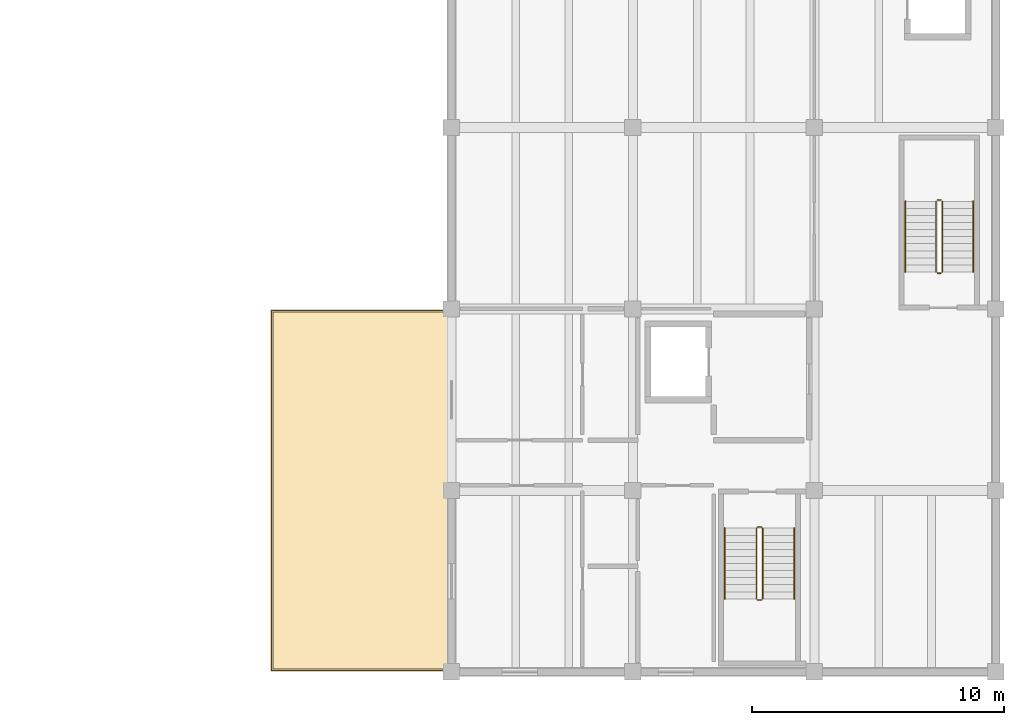
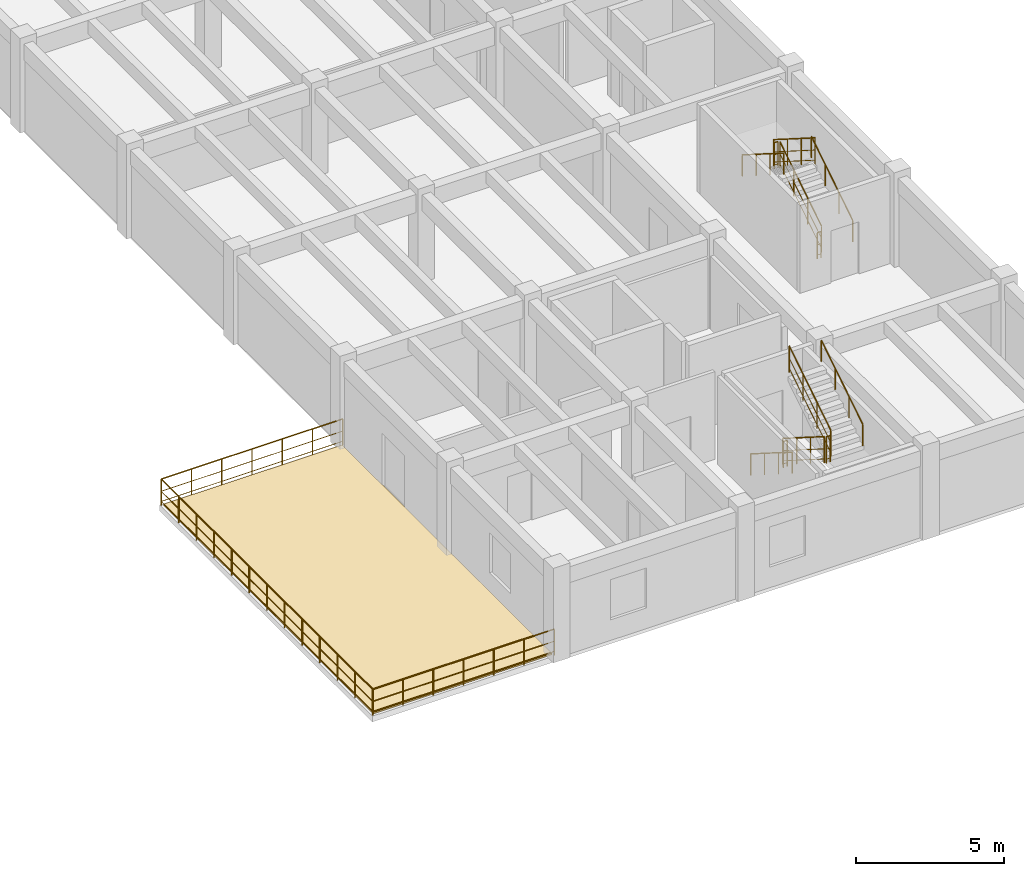
# One storey, part 12 of 13: 15 railings, 1 covering.
"""IFC4 building model written with IfcOpenShell, lengths in metres."""

from ifc_helpers import new_model, si_unit, direction, frame, origin, origin_2d, place, context, subcontext, project, spatial, polyline, circle, outline, extrude, material, layer, layer_set, type_object, element, save


model = new_model("IFC4")

# Units and contexts
model_context = context("Model", 3, precision=1e-05, world=origin(), true_north=direction((0.0, 1.0)))
body_context = subcontext(model_context, "Body", "Model", "MODEL_VIEW")
ifc_project = project(units=[si_unit("LENGTHUNIT", "METRE"), si_unit("AREAUNIT", "SQUARE_METRE"), si_unit("VOLUMEUNIT", "CUBIC_METRE"), si_unit("PLANEANGLEUNIT", "RADIAN"), si_unit("MASSUNIT", "GRAM", prefix="KILO")], contexts=[model_context])

# Site, building, storey
site_placement = place(None, origin())
site = spatial("IfcSite", under=ifc_project, at=site_placement, CompositionType="ELEMENT")
building_placement = place(site_placement, origin())
building = spatial("IfcBuilding", under=site, at=building_placement, Name="Koriwan Promenade Central Fire Station", CompositionType="ELEMENT")
storey_placement = place(building_placement, frame((0.0, 0.0, 13.5)))
storey = spatial("IfcBuildingStorey", under=building, at=storey_placement, Name="L03", CompositionType="ELEMENT", Elevation=13.5)

# Covering
ifc_material_1 = material(Name="Waterproofed xerophytic roof-garden drainage build-up", Category="membrane")
ifc_layer_1 = layer(ifc_material_1, 0.06005859375, Name="Waterproofed xerophytic roof-garden drainage build-up")
ifc_layer_set_1 = layer_set([ifc_layer_1], Name="Waterproofed xerophytic roof-garden drainage build-up")
covering_type = type_object("IfcCoveringType", Name="RoofCovering_Garden", PredefinedType="ROOFING", material=ifc_layer_set_1)
covering_placement = place(storey_placement, origin())
element("IfcCovering", 1, at=covering_placement, inside=storey, type_object=covering_type, Name="Promenade Setback Terrace waterproofed garden build-up", PredefinedType="ROOFING", context=body_context, shape_type="SweptSolid", body=[
    extrude(outline(polyline([(151.080078125, 0.1201171875), (144.1201171875, 0.1201171875), (144.1201171875, 14.280029296875), (151.080078125, 14.280029296875), (151.080078125, 0.1201171875)])), origin(), (0.0, 0.0, 1.0), 0.06005859375),
])

# Railings
ifc_material_2 = material(Name="Steel ASTM A500 Grade C", Category="steel")
ifc_layer_2 = layer(ifc_material_2, 0.050048828125, Name="Steel ASTM A500 Grade C")
ifc_layer_set_2 = layer_set([ifc_layer_2], Name="Steel ASTM A500 Grade C")
railing_type_1 = type_object("IfcRailingType", Name="StairGuard_1100", PredefinedType="BALUSTRADE", material=ifc_layer_set_2)
railing_1_placement = place(storey_placement, frame((163.300048828125, 5.699951171875, 0.17724609375)))
element("IfcRailing", 2, at=railing_1_placement, inside=storey, type_object=railing_type_1, Name="L03 ST22 stair guard 1", PredefinedType="BALUSTRADE", context=body_context, shape_type="SweptSolid", body=[
    extrude(circle(Radius=0.02392578125, at=origin_2d()), frame((0.0, 0.0, 1.076171875), z_axis=(0.0, -0.844908973607, 0.534910110503), x_axis=(1.0, 0.0, 0.0)), (0.0, 0.0, 1.0), 3.31396484375),
    extrude(circle(Radius=0.012939453125, at=origin_2d()), frame((0.0, 0.0, 0.572021484375), z_axis=(0.0, -0.844908973607, 0.534910110503), x_axis=(1.0, 0.0, 0.0)), (0.0, 0.0, 1.0), 3.31396484375),
    extrude(circle(Radius=0.012939453125, at=origin_2d()), frame((0.0, 0.0, 0.154052734375), z_axis=(0.0, -0.844908973607, 0.534910110503), x_axis=(1.0, 0.0, 0.0)), (0.0, 0.0, 1.0), 3.31396484375),
    extrude(circle(Radius=0.02099609375, at=origin_2d()), origin(), (0.0, 0.0, 1.0), 1.052001953125),
    extrude(circle(Radius=0.02099609375, at=origin_2d()), frame((0.0, -0.933349609375, 0.5908203125)), (0.0, 0.0, 1.0), 1.052001953125),
    extrude(circle(Radius=0.02099609375, at=origin_2d()), frame((0.0, -1.86669921875, 1.181884765625)), (0.0, 0.0, 1.0), 1.052001953125),
    extrude(circle(Radius=0.02099609375, at=origin_2d()), frame((0.0, -2.800048828125, 1.772705078125)), (0.0, 0.0, 1.0), 1.052001953125),
])
railing_2_placement = place(storey_placement, frame((163.35009765625, 2.85009765625, 1.949951171875)))
element("IfcRailing", 3, at=railing_2_placement, inside=storey, type_object=railing_type_1, Name="L03 ST22 stair guard 2", PredefinedType="BALUSTRADE", context=body_context, shape_type="SweptSolid", body=[
    extrude(circle(Radius=0.02392578125, at=origin_2d()), frame((0.0, 0.0, 1.076171875), z_axis=(1.0, 0.0, 0.0), x_axis=(0.0, 1.0, 0.0)), (0.0, 0.0, 1.0), 0.14990234375),
    extrude(circle(Radius=0.012939453125, at=origin_2d()), frame((0.0, 0.0, 0.572021484375), z_axis=(1.0, 0.0, 0.0), x_axis=(0.0, 1.0, 0.0)), (0.0, 0.0, 1.0), 0.14990234375),
    extrude(circle(Radius=0.012939453125, at=origin_2d()), frame((0.0, 0.0, 0.154052734375), z_axis=(1.0, 0.0, 0.0), x_axis=(0.0, 1.0, 0.0)), (0.0, 0.0, 1.0), 0.14990234375),
    extrude(circle(Radius=0.02099609375, at=origin_2d()), origin(), (0.0, 0.0, 1.0), 1.052001953125),
    extrude(circle(Radius=0.02099609375, at=origin_2d()), frame((0.14990234375, 0.0, 0.0)), (0.0, 0.0, 1.0), 1.052001953125),
])
railing_3_placement = place(storey_placement, frame((163.550048828125, 2.89990234375, 2.127197265625)))
element("IfcRailing", 4, at=railing_3_placement, inside=storey, type_object=railing_type_1, Name="L03 ST22 stair guard 3", PredefinedType="BALUSTRADE", context=body_context, shape_type="SweptSolid", body=[
    extrude(circle(Radius=0.02392578125, at=origin_2d()), frame((0.0, 0.0, 1.076171875), z_axis=(0.0, 0.844908973607, 0.534910110503), x_axis=(-1.0, 0.0, 0.0)), (0.0, 0.0, 1.0), 3.31396484375),
    extrude(circle(Radius=0.012939453125, at=origin_2d()), frame((0.0, 0.0, 0.572021484375), z_axis=(0.0, 0.844908973607, 0.534910110503), x_axis=(-1.0, 0.0, 0.0)), (0.0, 0.0, 1.0), 3.31396484375),
    extrude(circle(Radius=0.012939453125, at=origin_2d()), frame((0.0, 0.0, 0.154052734375), z_axis=(0.0, 0.844908973607, 0.534910110503), x_axis=(-1.0, 0.0, 0.0)), (0.0, 0.0, 1.0), 3.31396484375),
    extrude(circle(Radius=0.02099609375, at=origin_2d()), origin(), (0.0, 0.0, 1.0), 1.052001953125),
    extrude(circle(Radius=0.02099609375, at=origin_2d()), frame((0.0, 0.933349609375, 0.5908203125)), (0.0, 0.0, 1.0), 1.052001953125),
    extrude(circle(Radius=0.02099609375, at=origin_2d()), frame((0.0, 1.86669921875, 1.181884765625)), (0.0, 0.0, 1.0), 1.052001953125),
    extrude(circle(Radius=0.02099609375, at=origin_2d()), frame((0.0, 2.800048828125, 1.772705078125)), (0.0, 0.0, 1.0), 1.052001953125),
])
railing_4_placement = place(storey_placement, frame((163.35009765625, 5.75, 0.0)))
element("IfcRailing", 5, at=railing_4_placement, inside=storey, type_object=railing_type_1, Name="L03 ST22 stair guard 4", PredefinedType="BALUSTRADE", context=body_context, shape_type="SweptSolid", body=[
    extrude(circle(Radius=0.02392578125, at=origin_2d()), frame((0.0, 0.0, 1.076171875), z_axis=(1.0, 0.0, 0.0), x_axis=(0.0, 1.0, 0.0)), (0.0, 0.0, 1.0), 0.14990234375),
    extrude(circle(Radius=0.012939453125, at=origin_2d()), frame((0.0, 0.0, 0.572021484375), z_axis=(1.0, 0.0, 0.0), x_axis=(0.0, 1.0, 0.0)), (0.0, 0.0, 1.0), 0.14990234375),
    extrude(circle(Radius=0.012939453125, at=origin_2d()), frame((0.0, 0.0, 0.154052734375), z_axis=(1.0, 0.0, 0.0), x_axis=(0.0, 1.0, 0.0)), (0.0, 0.0, 1.0), 0.14990234375),
    extrude(circle(Radius=0.02099609375, at=origin_2d()), origin(), (0.0, 0.0, 1.0), 1.052001953125),
    extrude(circle(Radius=0.02099609375, at=origin_2d()), frame((0.14990234375, 0.0, 0.0)), (0.0, 0.0, 1.0), 1.052001953125),
])
railing_5_placement = place(storey_placement, frame((170.679931640625, 15.8701171875, 0.17724609375)))
element("IfcRailing", 6, at=railing_5_placement, inside=storey, type_object=railing_type_1, Name="L03 ST27 stair guard 1", PredefinedType="BALUSTRADE", context=body_context, shape_type="SweptSolid", body=[
    extrude(circle(Radius=0.02392578125, at=origin_2d()), frame((0.0, 0.0, 1.076171875), z_axis=(0.0, 0.844887892834, 0.53494340686), x_axis=(-1.0, 0.0, 0.0)), (0.0, 0.0, 1.0), 3.313720703125),
    extrude(circle(Radius=0.012939453125, at=origin_2d()), frame((0.0, 0.0, 0.572021484375), z_axis=(0.0, 0.844887892834, 0.53494340686), x_axis=(-1.0, 0.0, 0.0)), (0.0, 0.0, 1.0), 3.313720703125),
    extrude(circle(Radius=0.012939453125, at=origin_2d()), frame((0.0, 0.0, 0.154052734375), z_axis=(0.0, 0.844887892834, 0.53494340686), x_axis=(-1.0, 0.0, 0.0)), (0.0, 0.0, 1.0), 3.313720703125),
    extrude(circle(Radius=0.02099609375, at=origin_2d()), origin(), (0.0, 0.0, 1.0), 1.052001953125),
    extrude(circle(Radius=0.02099609375, at=origin_2d()), frame((0.0, 0.933349609375, 0.5908203125)), (0.0, 0.0, 1.0), 1.052001953125),
    extrude(circle(Radius=0.02099609375, at=origin_2d()), frame((0.0, 1.866455078125, 1.181884765625)), (0.0, 0.0, 1.0), 1.052001953125),
    extrude(circle(Radius=0.02099609375, at=origin_2d()), frame((0.0, 2.7998046875, 1.772705078125)), (0.0, 0.0, 1.0), 1.052001953125),
])
railing_6_placement = place(storey_placement, frame((170.6298828125, 18.719970703125, 1.949951171875)))
element("IfcRailing", 7, at=railing_6_placement, inside=storey, type_object=railing_type_1, Name="L03 ST27 stair guard 2", PredefinedType="BALUSTRADE", context=body_context, shape_type="SweptSolid", body=[
    extrude(circle(Radius=0.02392578125, at=origin_2d()), frame((0.0, 0.0, 1.076171875), z_axis=(-1.0, 0.0, 0.0), x_axis=(0.0, -1.0, 0.0)), (0.0, 0.0, 1.0), 0.14990234375),
    extrude(circle(Radius=0.012939453125, at=origin_2d()), frame((0.0, 0.0, 0.572021484375), z_axis=(-1.0, 0.0, 0.0), x_axis=(0.0, -1.0, 0.0)), (0.0, 0.0, 1.0), 0.14990234375),
    extrude(circle(Radius=0.012939453125, at=origin_2d()), frame((0.0, 0.0, 0.154052734375), z_axis=(-1.0, 0.0, 0.0), x_axis=(0.0, -1.0, 0.0)), (0.0, 0.0, 1.0), 0.14990234375),
    extrude(circle(Radius=0.02099609375, at=origin_2d()), origin(), (0.0, 0.0, 1.0), 1.052001953125),
    extrude(circle(Radius=0.02099609375, at=origin_2d()), frame((-0.14990234375, 0.0, 0.0)), (0.0, 0.0, 1.0), 1.052001953125),
])
railing_7_placement = place(storey_placement, frame((170.429931640625, 18.669921875, 2.127197265625)))
element("IfcRailing", 8, at=railing_7_placement, inside=storey, type_object=railing_type_1, Name="L03 ST27 stair guard 3", PredefinedType="BALUSTRADE", context=body_context, shape_type="SweptSolid", body=[
    extrude(circle(Radius=0.02392578125, at=origin_2d()), frame((0.0, 0.0, 1.076171875), z_axis=(0.0, -0.844887892834, 0.53494340686), x_axis=(1.0, 0.0, 0.0)), (0.0, 0.0, 1.0), 3.313720703125),
    extrude(circle(Radius=0.012939453125, at=origin_2d()), frame((0.0, 0.0, 0.572021484375), z_axis=(0.0, -0.844887892834, 0.53494340686), x_axis=(1.0, 0.0, 0.0)), (0.0, 0.0, 1.0), 3.313720703125),
    extrude(circle(Radius=0.012939453125, at=origin_2d()), frame((0.0, 0.0, 0.154052734375), z_axis=(0.0, -0.844887892834, 0.53494340686), x_axis=(1.0, 0.0, 0.0)), (0.0, 0.0, 1.0), 3.313720703125),
    extrude(circle(Radius=0.02099609375, at=origin_2d()), origin(), (0.0, 0.0, 1.0), 1.052001953125),
    extrude(circle(Radius=0.02099609375, at=origin_2d()), frame((0.0, -0.933349609375, 0.5908203125)), (0.0, 0.0, 1.0), 1.052001953125),
    extrude(circle(Radius=0.02099609375, at=origin_2d()), frame((0.0, -1.866455078125, 1.181884765625)), (0.0, 0.0, 1.0), 1.052001953125),
    extrude(circle(Radius=0.02099609375, at=origin_2d()), frame((0.0, -2.7998046875, 1.772705078125)), (0.0, 0.0, 1.0), 1.052001953125),
])
railing_8_placement = place(storey_placement, frame((170.6298828125, 15.820068359375, 0.0)))
element("IfcRailing", 9, at=railing_8_placement, inside=storey, type_object=railing_type_1, Name="L03 ST27 stair guard 4", PredefinedType="BALUSTRADE", context=body_context, shape_type="SweptSolid", body=[
    extrude(circle(Radius=0.02392578125, at=origin_2d()), frame((0.0, 0.0, 1.076171875), z_axis=(-1.0, 0.0, 0.0), x_axis=(0.0, -1.0, 0.0)), (0.0, 0.0, 1.0), 0.14990234375),
    extrude(circle(Radius=0.012939453125, at=origin_2d()), frame((0.0, 0.0, 0.572021484375), z_axis=(-1.0, 0.0, 0.0), x_axis=(0.0, -1.0, 0.0)), (0.0, 0.0, 1.0), 0.14990234375),
    extrude(circle(Radius=0.012939453125, at=origin_2d()), frame((0.0, 0.0, 0.154052734375), z_axis=(-1.0, 0.0, 0.0), x_axis=(0.0, -1.0, 0.0)), (0.0, 0.0, 1.0), 0.14990234375),
    extrude(circle(Radius=0.02099609375, at=origin_2d()), origin(), (0.0, 0.0, 1.0), 1.052001953125),
    extrude(circle(Radius=0.02099609375, at=origin_2d()), frame((-0.14990234375, 0.0, 0.0)), (0.0, 0.0, 1.0), 1.052001953125),
])
ifc_material_3 = material(Name="Stainless steel 316 tubular handrail", Category="steel")
ifc_layer_3 = layer(ifc_material_3, 0.048095703125, Name="Stainless steel 316 tubular handrail")
ifc_layer_set_3 = layer_set([ifc_layer_3], Name="Stainless steel 316 tubular handrail")
railing_type_2 = type_object("IfcRailingType", Name="StairHandrail_900", PredefinedType="HANDRAIL", material=ifc_layer_set_3)
railing_9_placement = place(storey_placement, frame((162.050048828125, 5.699951171875, 0.17724609375)))
element("IfcRailing", 10, at=railing_9_placement, inside=storey, type_object=railing_type_2, Name="L03 ST22 stair handrail 1", PredefinedType="HANDRAIL", context=body_context, shape_type="SweptSolid", body=[
    extrude(circle(Radius=0.02392578125, at=origin_2d()), frame((0.0, 0.0, 0.8759765625), z_axis=(0.0, -0.844908973607, 0.534910110503), x_axis=(1.0, 0.0, 0.0)), (0.0, 0.0, 1.0), 3.31396484375),
    extrude(circle(Radius=0.02099609375, at=origin_2d()), origin(), (0.0, 0.0, 1.0), 0.851806640625),
    extrude(circle(Radius=0.02099609375, at=origin_2d()), frame((0.0, -0.933349609375, 0.5908203125)), (0.0, 0.0, 1.0), 0.851806640625),
    extrude(circle(Radius=0.02099609375, at=origin_2d()), frame((0.0, -1.86669921875, 1.181884765625)), (0.0, 0.0, 1.0), 0.851806640625),
    extrude(circle(Radius=0.02099609375, at=origin_2d()), frame((0.0, -2.800048828125, 1.772705078125)), (0.0, 0.0, 1.0), 0.851806640625),
])
railing_10_placement = place(storey_placement, frame((164.800048828125, 2.89990234375, 2.127197265625)))
element("IfcRailing", 11, at=railing_10_placement, inside=storey, type_object=railing_type_2, Name="L03 ST22 stair handrail 2", PredefinedType="HANDRAIL", context=body_context, shape_type="SweptSolid", body=[
    extrude(circle(Radius=0.02392578125, at=origin_2d()), frame((0.0, 0.0, 0.8759765625), z_axis=(0.0, 0.844908973607, 0.534910110503), x_axis=(-1.0, 0.0, 0.0)), (0.0, 0.0, 1.0), 3.31396484375),
    extrude(circle(Radius=0.02099609375, at=origin_2d()), origin(), (0.0, 0.0, 1.0), 0.851806640625),
    extrude(circle(Radius=0.02099609375, at=origin_2d()), frame((0.0, 0.933349609375, 0.5908203125)), (0.0, 0.0, 1.0), 0.851806640625),
    extrude(circle(Radius=0.02099609375, at=origin_2d()), frame((0.0, 1.86669921875, 1.181884765625)), (0.0, 0.0, 1.0), 0.851806640625),
    extrude(circle(Radius=0.02099609375, at=origin_2d()), frame((0.0, 2.800048828125, 1.772705078125)), (0.0, 0.0, 1.0), 0.851806640625),
])
railing_11_placement = place(storey_placement, frame((171.89990234375, 15.8701171875, 0.17724609375)))
element("IfcRailing", 12, at=railing_11_placement, inside=storey, type_object=railing_type_2, Name="L03 ST27 stair handrail 1", PredefinedType="HANDRAIL", context=body_context, shape_type="SweptSolid", body=[
    extrude(circle(Radius=0.02392578125, at=origin_2d()), frame((0.0, 0.0, 0.8759765625), z_axis=(0.0, 0.844887892834, 0.53494340686), x_axis=(-1.0, 0.0, 0.0)), (0.0, 0.0, 1.0), 3.313720703125),
    extrude(circle(Radius=0.02099609375, at=origin_2d()), origin(), (0.0, 0.0, 1.0), 0.851806640625),
    extrude(circle(Radius=0.02099609375, at=origin_2d()), frame((0.0, 0.933349609375, 0.5908203125)), (0.0, 0.0, 1.0), 0.851806640625),
    extrude(circle(Radius=0.02099609375, at=origin_2d()), frame((0.0, 1.866455078125, 1.181884765625)), (0.0, 0.0, 1.0), 0.851806640625),
    extrude(circle(Radius=0.02099609375, at=origin_2d()), frame((0.0, 2.7998046875, 1.772705078125)), (0.0, 0.0, 1.0), 0.851806640625),
])
railing_12_placement = place(storey_placement, frame((169.2099609375, 18.669921875, 2.127197265625)))
element("IfcRailing", 13, at=railing_12_placement, inside=storey, type_object=railing_type_2, Name="L03 ST27 stair handrail 2", PredefinedType="HANDRAIL", context=body_context, shape_type="SweptSolid", body=[
    extrude(circle(Radius=0.02392578125, at=origin_2d()), frame((0.0, 0.0, 0.8759765625), z_axis=(0.0, -0.844887892834, 0.53494340686), x_axis=(1.0, 0.0, 0.0)), (0.0, 0.0, 1.0), 3.313720703125),
    extrude(circle(Radius=0.02099609375, at=origin_2d()), origin(), (0.0, 0.0, 1.0), 0.851806640625),
    extrude(circle(Radius=0.02099609375, at=origin_2d()), frame((0.0, -0.933349609375, 0.5908203125)), (0.0, 0.0, 1.0), 0.851806640625),
    extrude(circle(Radius=0.02099609375, at=origin_2d()), frame((0.0, -1.866455078125, 1.181884765625)), (0.0, 0.0, 1.0), 0.851806640625),
    extrude(circle(Radius=0.02099609375, at=origin_2d()), frame((0.0, -2.7998046875, 1.772705078125)), (0.0, 0.0, 1.0), 0.851806640625),
])
ifc_layer_4 = layer(ifc_material_2, 0.06005859375, Name="Steel ASTM A500 Grade C")
ifc_layer_set_4 = layer_set([ifc_layer_4], Name="Steel ASTM A500 Grade C")
railing_type_3 = type_object("IfcRailingType", Name="TerraceGuard_1100", PredefinedType="BALUSTRADE", material=ifc_layer_set_4)
railing_13_placement = place(storey_placement, frame((151.139892578125, 0.06005859375, 0.0)))
element("IfcRailing", 14, at=railing_13_placement, inside=storey, type_object=railing_type_3, Name="Promenade Setback Terrace protective balustrade 017", PredefinedType="BALUSTRADE", context=body_context, shape_type="SweptSolid", body=[
    extrude(circle(Radius=0.02392578125, at=origin_2d()), frame((0.0, 0.0, 1.076171875), z_axis=(-1.0, 0.0, 0.0), x_axis=(0.0, -1.0, 0.0)), (0.0, 0.0, 1.0), 7.079833984375),
    extrude(circle(Radius=0.012939453125, at=origin_2d()), frame((0.0, 0.0, 0.572021484375), z_axis=(-1.0, 0.0, 0.0), x_axis=(0.0, -1.0, 0.0)), (0.0, 0.0, 1.0), 7.079833984375),
    extrude(circle(Radius=0.012939453125, at=origin_2d()), frame((0.0, 0.0, 0.154052734375), z_axis=(-1.0, 0.0, 0.0), x_axis=(0.0, -1.0, 0.0)), (0.0, 0.0, 1.0), 7.079833984375),
    extrude(circle(Radius=0.02099609375, at=origin_2d()), origin(), (0.0, 0.0, 1.0), 1.052001953125),
    extrude(circle(Radius=0.02099609375, at=origin_2d()), frame((-1.179931640625, 0.0, 0.0)), (0.0, 0.0, 1.0), 1.052001953125),
    extrude(circle(Radius=0.02099609375, at=origin_2d()), frame((-2.35986328125, 0.0, 0.0)), (0.0, 0.0, 1.0), 1.052001953125),
    extrude(circle(Radius=0.02099609375, at=origin_2d()), frame((-3.5400390625, 0.0, 0.0)), (0.0, 0.0, 1.0), 1.052001953125),
    extrude(circle(Radius=0.02099609375, at=origin_2d()), frame((-4.719970703125, 0.0, 0.0)), (0.0, 0.0, 1.0), 1.052001953125),
    extrude(circle(Radius=0.02099609375, at=origin_2d()), frame((-5.89990234375, 0.0, 0.0)), (0.0, 0.0, 1.0), 1.052001953125),
    extrude(circle(Radius=0.02099609375, at=origin_2d()), frame((-7.079833984375, 0.0, 0.0)), (0.0, 0.0, 1.0), 1.052001953125),
])
railing_14_placement = place(storey_placement, frame((144.06005859375, 0.06005859375, 0.0)))
element("IfcRailing", 15, at=railing_14_placement, inside=storey, type_object=railing_type_3, Name="Promenade Setback Terrace protective balustrade 018", PredefinedType="BALUSTRADE", context=body_context, shape_type="SweptSolid", body=[
    extrude(circle(Radius=0.02392578125, at=origin_2d()), frame((0.0, 0.0, 1.076171875), z_axis=(0.0, 1.0, 0.0), x_axis=(-1.0, 0.0, 0.0)), (0.0, 0.0, 1.0), 14.280029296875),
    extrude(circle(Radius=0.012939453125, at=origin_2d()), frame((0.0, 0.0, 0.572021484375), z_axis=(0.0, 1.0, 0.0), x_axis=(-1.0, 0.0, 0.0)), (0.0, 0.0, 1.0), 14.280029296875),
    extrude(circle(Radius=0.012939453125, at=origin_2d()), frame((0.0, 0.0, 0.154052734375), z_axis=(0.0, 1.0, 0.0), x_axis=(-1.0, 0.0, 0.0)), (0.0, 0.0, 1.0), 14.280029296875),
    extrude(circle(Radius=0.02099609375, at=origin_2d()), origin(), (0.0, 0.0, 1.0), 1.052001953125),
    extrude(circle(Radius=0.02099609375, at=origin_2d()), frame((0.0, 1.18994140625, 0.0)), (0.0, 0.0, 1.0), 1.052001953125),
    extrude(circle(Radius=0.02099609375, at=origin_2d()), frame((0.0, 2.3798828125, 0.0)), (0.0, 0.0, 1.0), 1.052001953125),
    extrude(circle(Radius=0.02099609375, at=origin_2d()), frame((0.0, 3.570068359375, 0.0)), (0.0, 0.0, 1.0), 1.052001953125),
    extrude(circle(Radius=0.02099609375, at=origin_2d()), frame((0.0, 4.760009765625, 0.0)), (0.0, 0.0, 1.0), 1.052001953125),
    extrude(circle(Radius=0.02099609375, at=origin_2d()), frame((0.0, 5.949951171875, 0.0)), (0.0, 0.0, 1.0), 1.052001953125),
    extrude(circle(Radius=0.02099609375, at=origin_2d()), frame((0.0, 7.14013671875, 0.0)), (0.0, 0.0, 1.0), 1.052001953125),
    extrude(circle(Radius=0.02099609375, at=origin_2d()), frame((0.0, 8.330078125, 0.0)), (0.0, 0.0, 1.0), 1.052001953125),
    extrude(circle(Radius=0.02099609375, at=origin_2d()), frame((0.0, 9.52001953125, 0.0)), (0.0, 0.0, 1.0), 1.052001953125),
    extrude(circle(Radius=0.02099609375, at=origin_2d()), frame((0.0, 10.7099609375, 0.0)), (0.0, 0.0, 1.0), 1.052001953125),
    extrude(circle(Radius=0.02099609375, at=origin_2d()), frame((0.0, 11.89990234375, 0.0)), (0.0, 0.0, 1.0), 1.052001953125),
    extrude(circle(Radius=0.02099609375, at=origin_2d()), frame((0.0, 13.090087890625, 0.0)), (0.0, 0.0, 1.0), 1.052001953125),
    extrude(circle(Radius=0.02099609375, at=origin_2d()), frame((0.0, 14.280029296875, 0.0)), (0.0, 0.0, 1.0), 1.052001953125),
])
railing_15_placement = place(storey_placement, frame((144.06005859375, 14.340087890625, 0.0)))
element("IfcRailing", 16, at=railing_15_placement, inside=storey, type_object=railing_type_3, Name="Promenade Setback Terrace protective balustrade 019", PredefinedType="BALUSTRADE", context=body_context, shape_type="SweptSolid", body=[
    extrude(circle(Radius=0.02392578125, at=origin_2d()), frame((0.0, 0.0, 1.076171875), z_axis=(1.0, 0.0, 0.0), x_axis=(0.0, 1.0, 0.0)), (0.0, 0.0, 1.0), 7.079833984375),
    extrude(circle(Radius=0.012939453125, at=origin_2d()), frame((0.0, 0.0, 0.572021484375), z_axis=(1.0, 0.0, 0.0), x_axis=(0.0, 1.0, 0.0)), (0.0, 0.0, 1.0), 7.079833984375),
    extrude(circle(Radius=0.012939453125, at=origin_2d()), frame((0.0, 0.0, 0.154052734375), z_axis=(1.0, 0.0, 0.0), x_axis=(0.0, 1.0, 0.0)), (0.0, 0.0, 1.0), 7.079833984375),
    extrude(circle(Radius=0.02099609375, at=origin_2d()), origin(), (0.0, 0.0, 1.0), 1.052001953125),
    extrude(circle(Radius=0.02099609375, at=origin_2d()), frame((1.179931640625, 0.0, 0.0)), (0.0, 0.0, 1.0), 1.052001953125),
    extrude(circle(Radius=0.02099609375, at=origin_2d()), frame((2.35986328125, 0.0, 0.0)), (0.0, 0.0, 1.0), 1.052001953125),
    extrude(circle(Radius=0.02099609375, at=origin_2d()), frame((3.5400390625, 0.0, 0.0)), (0.0, 0.0, 1.0), 1.052001953125),
    extrude(circle(Radius=0.02099609375, at=origin_2d()), frame((4.719970703125, 0.0, 0.0)), (0.0, 0.0, 1.0), 1.052001953125),
    extrude(circle(Radius=0.02099609375, at=origin_2d()), frame((5.89990234375, 0.0, 0.0)), (0.0, 0.0, 1.0), 1.052001953125),
    extrude(circle(Radius=0.02099609375, at=origin_2d()), frame((7.079833984375, 0.0, 0.0)), (0.0, 0.0, 1.0), 1.052001953125),
])

save(model, "model.ifc")
